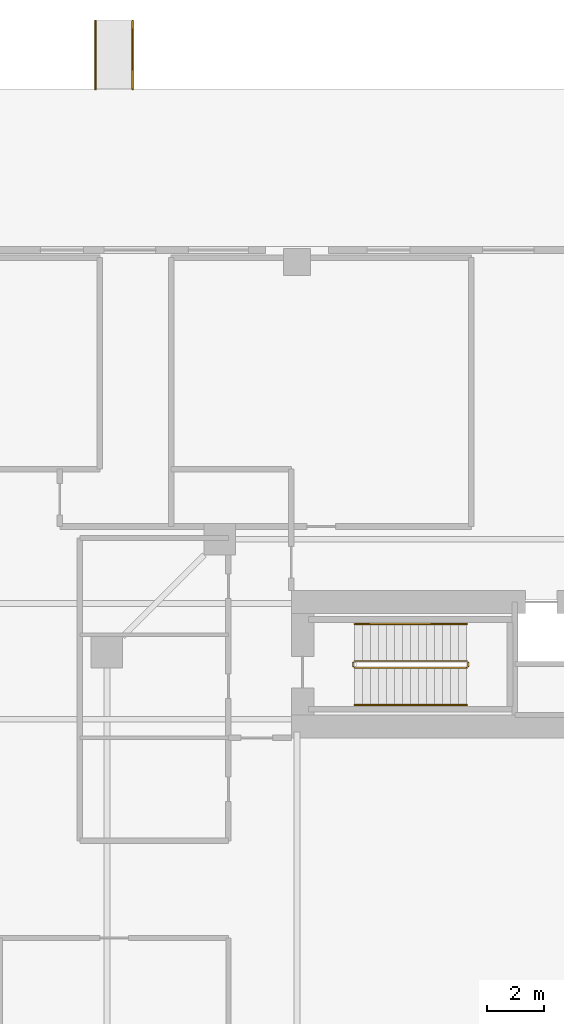
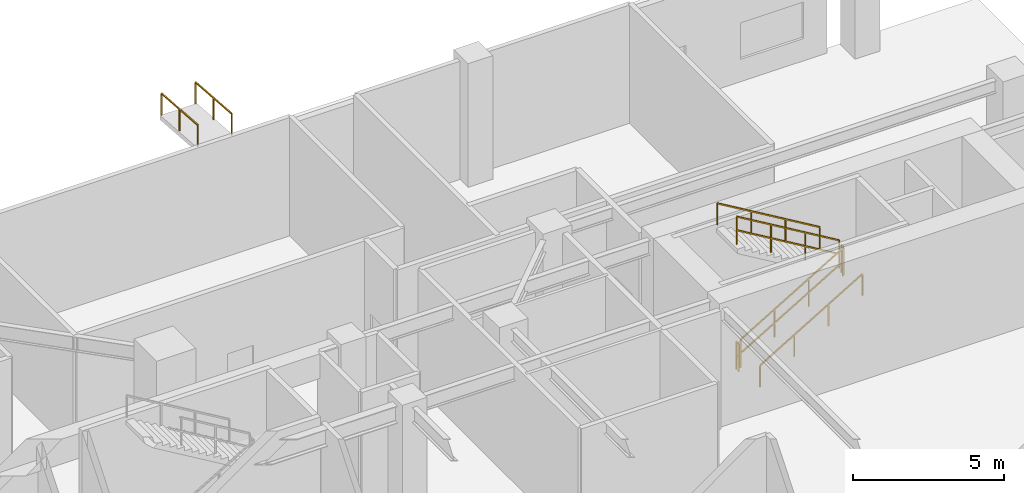
# One storey, part 17 of 18: 8 railings.
"""IFC4 building model written with IfcOpenShell, lengths in metres."""

from ifc_helpers import new_model, si_unit, direction, frame, origin, origin_2d, place, context, subcontext, project, spatial, rectangle, extrude, material, type_object, element, save


model = new_model("IFC4")

# Units and contexts
model_context = context("Model", 3, precision=1e-05, world=origin(), true_north=direction((0.0, 1.0)))
body_context = subcontext(model_context, "Body", "Model", "MODEL_VIEW")
ifc_project = project(units=[si_unit("LENGTHUNIT", "METRE"), si_unit("AREAUNIT", "SQUARE_METRE"), si_unit("VOLUMEUNIT", "CUBIC_METRE"), si_unit("PLANEANGLEUNIT", "RADIAN"), si_unit("MASSUNIT", "GRAM", prefix="KILO"), si_unit("THERMODYNAMICTEMPERATUREUNIT", "KELVIN"), si_unit("POWERUNIT", "WATT")], contexts=[model_context])

# Site, building, storey
site_placement = place(None, origin())
site = spatial("IfcSite", under=ifc_project, at=site_placement, CompositionType="ELEMENT")
building_placement = place(site_placement, origin())
building = spatial("IfcBuilding", under=site, at=building_placement, Name="Qiaomeng Ring Towers", CompositionType="ELEMENT")
storey_placement = place(building_placement, origin())
storey = spatial("IfcBuildingStorey", under=building, at=storey_placement, Name="L00", CompositionType="ELEMENT", Elevation=0.0)

# Railings
ifc_material_1 = material(Name="Galvanised steel", Category="steel")
railing_type_1 = type_object("IfcRailingType", Name="ARC-RL-GUARD", PredefinedType="GUARDRAIL", material=ifc_material_1)
railing_1_placement = place(storey_placement, frame((56.419921875, 31.25, 0.166748046875)))
element("IfcRailing", 1, at=railing_1_placement, inside=storey, type_object=railing_type_1, Name="L00 ST5 stair guard 1", PredefinedType="GUARDRAIL", context=body_context, shape_type="SweptSolid", body=[
    extrude(rectangle(XDim=0.048095703125, YDim=0.048095703125, at=origin_2d()), frame((0.0, 0.0, 1.1259765625), z_axis=(0.859310244771, 0.0, 0.511454693235), x_axis=(0.0, 1.0, 0.0)), (0.0, 0.0, 1.0), 4.56201171875),
    extrude(rectangle(XDim=0.048095703125, YDim=0.048095703125, at=origin_2d()), frame((0.0, 0.0, 0.574951171875), z_axis=(0.859310244771, 0.0, 0.511454693235), x_axis=(0.0, 1.0, 0.0)), (0.0, 0.0, 1.0), 4.56201171875),
    extrude(rectangle(XDim=0.0419921875, YDim=0.0419921875, at=origin_2d()), origin(), (0.0, 0.0, 1.0), 1.101806640625),
    extrude(rectangle(XDim=0.0419921875, YDim=0.0419921875, at=origin_2d()), frame((1.306640625, 0.0, 0.77783203125)), (0.0, 0.0, 1.0), 1.101806640625),
    extrude(rectangle(XDim=0.0419921875, YDim=0.0419921875, at=origin_2d()), frame((2.613525390625, 0.0, 1.555419921875)), (0.0, 0.0, 1.0), 1.101806640625),
    extrude(rectangle(XDim=0.0419921875, YDim=0.0419921875, at=origin_2d()), frame((3.920166015625, 0.0, 2.333251953125)), (0.0, 0.0, 1.0), 1.101806640625),
])
railing_2_placement = place(storey_placement, frame((60.389892578125, 31.300048828125, 2.5)))
element("IfcRailing", 2, at=railing_2_placement, inside=storey, type_object=railing_type_1, Name="L00 ST5 stair guard 2", PredefinedType="GUARDRAIL", context=body_context, shape_type="SweptSolid", body=[
    extrude(rectangle(XDim=0.048095703125, YDim=0.048095703125, at=origin_2d()), frame((0.0, 0.0, 1.1259765625), z_axis=(0.0, 1.0, 0.0), x_axis=(-1.0, 0.0, 0.0)), (0.0, 0.0, 1.0), 0.139892578125),
    extrude(rectangle(XDim=0.048095703125, YDim=0.048095703125, at=origin_2d()), frame((0.0, 0.0, 0.574951171875), z_axis=(0.0, 1.0, 0.0), x_axis=(-1.0, 0.0, 0.0)), (0.0, 0.0, 1.0), 0.139892578125),
    extrude(rectangle(XDim=0.0419921875, YDim=0.0419921875, at=origin_2d()), origin(), (0.0, 0.0, 1.0), 1.101806640625),
    extrude(rectangle(XDim=0.0419921875, YDim=0.0419921875, at=origin_2d()), frame((0.0, 0.139892578125, 0.0)), (0.0, 0.0, 1.0), 1.101806640625),
])
railing_3_placement = place(storey_placement, frame((60.340087890625, 31.489990234375, 2.666748046875)))
element("IfcRailing", 3, at=railing_3_placement, inside=storey, type_object=railing_type_1, Name="L00 ST5 stair guard 3", PredefinedType="GUARDRAIL", context=body_context, shape_type="SweptSolid", body=[
    extrude(rectangle(XDim=0.048095703125, YDim=0.048095703125, at=origin_2d()), frame((0.0, 0.0, 1.1259765625), z_axis=(-0.859310244771, 0.0, 0.511454693235), x_axis=(0.0, -1.0, 0.0)), (0.0, 0.0, 1.0), 4.56201171875),
    extrude(rectangle(XDim=0.048095703125, YDim=0.048095703125, at=origin_2d()), frame((0.0, 0.0, 0.574951171875), z_axis=(-0.859310244771, 0.0, 0.511454693235), x_axis=(0.0, -1.0, 0.0)), (0.0, 0.0, 1.0), 4.56201171875),
    extrude(rectangle(XDim=0.0419921875, YDim=0.0419921875, at=origin_2d()), origin(), (0.0, 0.0, 1.0), 1.101806640625),
    extrude(rectangle(XDim=0.0419921875, YDim=0.0419921875, at=origin_2d()), frame((-1.306640625, 0.0, 0.77783203125)), (0.0, 0.0, 1.0), 1.101806640625),
    extrude(rectangle(XDim=0.0419921875, YDim=0.0419921875, at=origin_2d()), frame((-2.613525390625, 0.0, 1.555419921875)), (0.0, 0.0, 1.0), 1.101806640625),
    extrude(rectangle(XDim=0.0419921875, YDim=0.0419921875, at=origin_2d()), frame((-3.920166015625, 0.0, 2.333251953125)), (0.0, 0.0, 1.0), 1.101806640625),
])
railing_4_placement = place(storey_placement, frame((56.3701171875, 31.300048828125, 0.0)))
element("IfcRailing", 4, at=railing_4_placement, inside=storey, type_object=railing_type_1, Name="L00 ST5 stair guard 4", PredefinedType="GUARDRAIL", context=body_context, shape_type="SweptSolid", body=[
    extrude(rectangle(XDim=0.048095703125, YDim=0.048095703125, at=origin_2d()), frame((0.0, 0.0, 1.1259765625), z_axis=(0.0, 1.0, 0.0), x_axis=(-1.0, 0.0, 0.0)), (0.0, 0.0, 1.0), 0.139892578125),
    extrude(rectangle(XDim=0.048095703125, YDim=0.048095703125, at=origin_2d()), frame((0.0, 0.0, 0.574951171875), z_axis=(0.0, 1.0, 0.0), x_axis=(-1.0, 0.0, 0.0)), (0.0, 0.0, 1.0), 0.139892578125),
    extrude(rectangle(XDim=0.0419921875, YDim=0.0419921875, at=origin_2d()), origin(), (0.0, 0.0, 1.0), 1.101806640625),
    extrude(rectangle(XDim=0.0419921875, YDim=0.0419921875, at=origin_2d()), frame((0.0, 0.139892578125, 0.0)), (0.0, 0.0, 1.0), 1.101806640625),
])
ifc_material_2 = material(Name="Stainless steel 316", Category="steel")
railing_type_2 = type_object("IfcRailingType", Name="ARC-RL-HAND", PredefinedType="HANDRAIL", material=ifc_material_2)
railing_5_placement = place(storey_placement, frame((56.419921875, 29.949951171875, 0.166748046875)))
element("IfcRailing", 5, at=railing_5_placement, inside=storey, type_object=railing_type_2, Name="L00 ST5 stair handrail 1", PredefinedType="HANDRAIL", context=body_context, shape_type="SweptSolid", body=[
    extrude(rectangle(XDim=0.048095703125, YDim=0.048095703125, at=origin_2d()), frame((0.0, 0.0, 0.8759765625), z_axis=(0.859310244771, 0.0, 0.511454693235), x_axis=(0.0, 1.0, 0.0)), (0.0, 0.0, 1.0), 4.56201171875),
    extrude(rectangle(XDim=0.0419921875, YDim=0.0419921875, at=origin_2d()), origin(), (0.0, 0.0, 1.0), 0.851806640625),
    extrude(rectangle(XDim=0.0419921875, YDim=0.0419921875, at=origin_2d()), frame((1.306640625, 0.0, 0.77783203125)), (0.0, 0.0, 1.0), 0.851806640625),
    extrude(rectangle(XDim=0.0419921875, YDim=0.0419921875, at=origin_2d()), frame((2.613525390625, 0.0, 1.555419921875)), (0.0, 0.0, 1.0), 0.851806640625),
    extrude(rectangle(XDim=0.0419921875, YDim=0.0419921875, at=origin_2d()), frame((3.920166015625, 0.0, 2.333251953125)), (0.0, 0.0, 1.0), 0.851806640625),
])
railing_6_placement = place(storey_placement, frame((60.340087890625, 32.7900390625, 2.666748046875)))
element("IfcRailing", 6, at=railing_6_placement, inside=storey, type_object=railing_type_2, Name="L00 ST5 stair handrail 2", PredefinedType="HANDRAIL", context=body_context, shape_type="SweptSolid", body=[
    extrude(rectangle(XDim=0.048095703125, YDim=0.048095703125, at=origin_2d()), frame((0.0, 0.0, 0.8759765625), z_axis=(-0.859310244771, 0.0, 0.511454693235), x_axis=(0.0, -1.0, 0.0)), (0.0, 0.0, 1.0), 4.56201171875),
    extrude(rectangle(XDim=0.0419921875, YDim=0.0419921875, at=origin_2d()), origin(), (0.0, 0.0, 1.0), 0.851806640625),
    extrude(rectangle(XDim=0.0419921875, YDim=0.0419921875, at=origin_2d()), frame((-1.306640625, 0.0, 0.77783203125)), (0.0, 0.0, 1.0), 0.851806640625),
    extrude(rectangle(XDim=0.0419921875, YDim=0.0419921875, at=origin_2d()), frame((-2.613525390625, 0.0, 1.555419921875)), (0.0, 0.0, 1.0), 0.851806640625),
    extrude(rectangle(XDim=0.0419921875, YDim=0.0419921875, at=origin_2d()), frame((-3.920166015625, 0.0, 2.333251953125)), (0.0, 0.0, 1.0), 0.851806640625),
])
for number, where, name in (
    (7, (47.35009765625, 53.89794921875, -0.179931640625), "AR4 Accessible Handrail L"),
    (8, (48.64990234375, 53.89794921875, -0.179931640625), "AR4 Accessible Handrail R"),
):
    element("IfcRailing", number, at=place(storey_placement, frame(where)), inside=storey, type_object=railing_type_2, Name=name, PredefinedType="HANDRAIL", context=body_context, shape_type="SweptSolid", body=[
        extrude(rectangle(XDim=0.048095703125, YDim=0.048095703125, at=origin_2d()), frame((0.0, 0.0, 0.8759765625), z_axis=(0.0, -0.997201201018, 0.074764728906), x_axis=(1.0, 0.0, 0.0)), (0.0, 0.0, 1.0), 2.40673828125),
        extrude(rectangle(XDim=0.0419921875, YDim=0.0419921875, at=origin_2d()), origin(), (0.0, 0.0, 1.0), 0.851806640625),
        extrude(rectangle(XDim=0.0419921875, YDim=0.0419921875, at=origin_2d()), frame((0.0, -1.199951171875, 0.08984375)), (0.0, 0.0, 1.0), 0.851806640625),
        extrude(rectangle(XDim=0.0419921875, YDim=0.0419921875, at=origin_2d()), frame((0.0, -2.39990234375, 0.179931640625)), (0.0, 0.0, 1.0), 0.851806640625),
    ])

save(model, "model.ifc")
